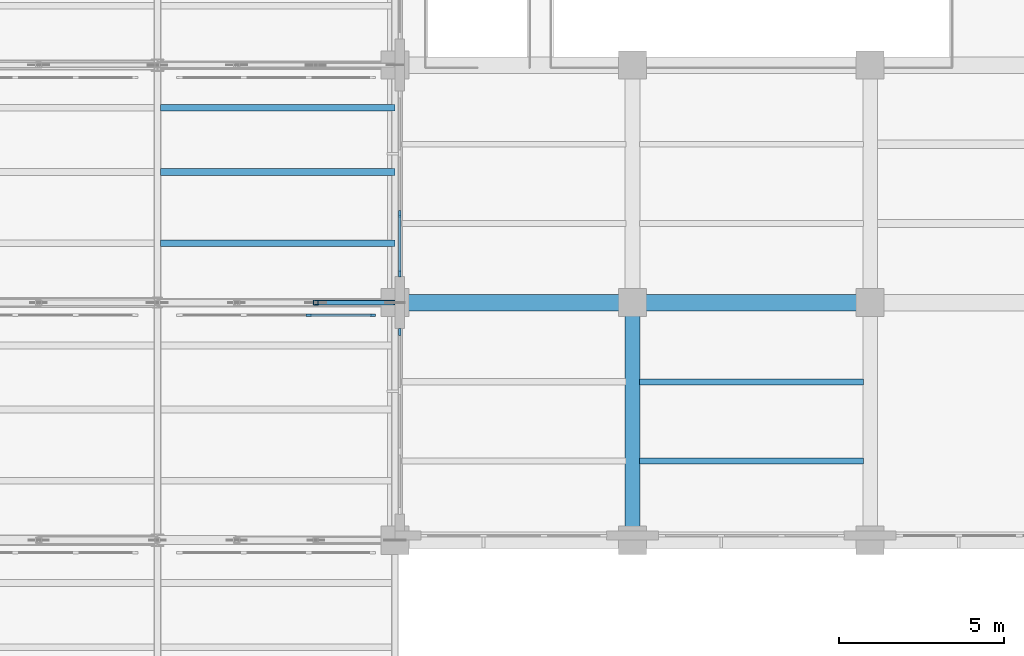
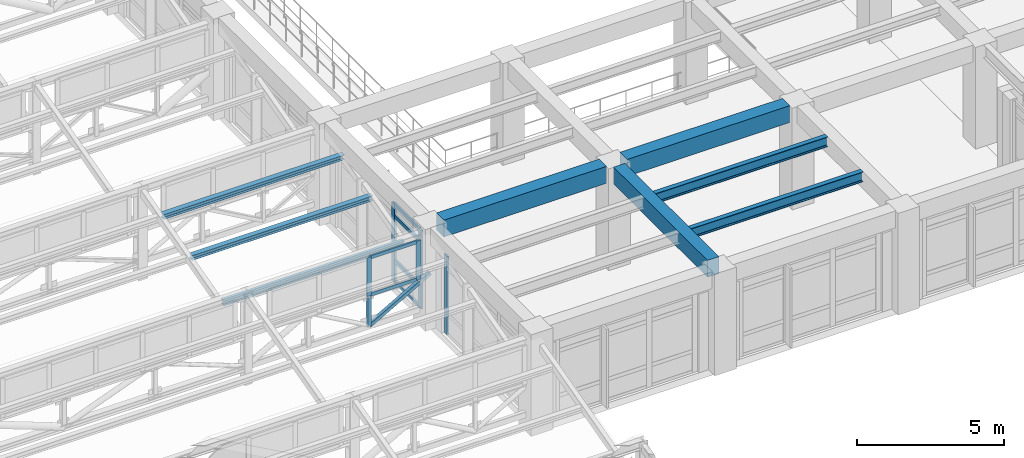
# One storey, part 25 of 98: 13 members, 8 beams, 3 elements without a shape of their own.
"""IFC4 building model written with IfcOpenShell, lengths in metres."""

from ifc_helpers import new_model, si_unit, direction, frame, origin, origin_2d, place, context, subcontext, project, spatial, rectangle, hollow_rectangle, i_section, extrude, material, layer, layer_set, material_profile, profile_set, type_object, element, aggregate, save


model = new_model("IFC4")

# Units and contexts
model_context = context("Model", 3, precision=1e-05, world=origin(), true_north=direction((0.0, 1.0)))
body_context = subcontext(model_context, "Body", "Model", "MODEL_VIEW")
ifc_project = project(units=[si_unit("LENGTHUNIT", "METRE"), si_unit("AREAUNIT", "SQUARE_METRE"), si_unit("VOLUMEUNIT", "CUBIC_METRE"), si_unit("PLANEANGLEUNIT", "RADIAN"), si_unit("MASSUNIT", "GRAM", prefix="KILO")], contexts=[model_context])

# Site, building, storey
site_placement = place(None, origin())
site = spatial("IfcSite", under=ifc_project, at=site_placement, CompositionType="ELEMENT")
building_placement = place(site_placement, origin())
building = spatial("IfcBuilding", under=site, at=building_placement, Name="Solenvale Faculty of Natural Sciences", CompositionType="ELEMENT")
storey_placement = place(building_placement, frame((0.0, 0.0, 9.0)))
storey = spatial("IfcBuildingStorey", under=building, at=storey_placement, Name="L02", CompositionType="ELEMENT", Elevation=9.0)

# Beams
ifc_material_1 = material(Name="Steel S355", Category="steel")
ifc_material_profile_1 = material_profile(ifc_material_1, i_section(OverallWidth=0.202880859375, OverallDepth=0.202880859375, WebThickness=0.007080078125, FlangeThickness=0.010986328125, FilletRadius=0.010009765625, at=origin_2d()), Name="W200x46")
ifc_profile_set_1 = profile_set([ifc_material_profile_1], Name="Steel S355")
beam_type_1 = type_object("IfcBeamType", Name="BM-PRL-W200x46", PredefinedType="JOIST", material=ifc_profile_set_1)
for number, where, z_axis, x_axis, name in (
    (1, (28.89599609375, 23.39990234375, 2.202392578125), (1.0, 0.0, 0.0), (0.0, 1.0, 0.0), "V1 Sawtooth Purlin 4.2.1"),
    (2, (28.89599609375, 25.56005859375, 2.781494140625), (1.0, 0.0, 0.0), (0.0, 1.0, 0.0), "V1 Sawtooth Purlin 4.2.2"),
    (3, (28.89599609375, 27.50390625, 3.302490234375), (1.0, 0.0, 0.0), (0.0, 1.0, 0.0), "V1 Sawtooth Purlin 4.2.3"),
):
    element("IfcBeam", number, at=place(storey_placement, frame(where, z_axis=z_axis, x_axis=x_axis)), inside=storey, type_object=beam_type_1, Name=name, PredefinedType="JOIST", context=body_context, shape_type="SweptSolid", body=[
        extrude(i_section(OverallWidth=0.202880859375, OverallDepth=0.202880859375, WebThickness=0.007080078125, FlangeThickness=0.010986328125, FilletRadius=0.010009765625, at=origin_2d()), origin(), (0.0, 0.0, 1.0), 7.10400390625),
    ])
ifc_material_2 = material(Name="Concrete 40 MPa", Category="concrete")
ifc_material_profile_2 = material_profile(ifc_material_2, rectangle(XDim=0.449951171875, YDim=0.699951171875, at=origin_2d()), Name="RC-BM-450x700")
ifc_profile_set_2 = profile_set([ifc_material_profile_2], Name="Concrete 40 MPa")
beam_type_2 = type_object("IfcBeamType", Name="BM-RC-450x700", PredefinedType="BEAM", material=ifc_profile_set_2)
beam_1_placement = place(storey_placement, frame((43.199951171875, 14.804931640625, 3.8701171875), z_axis=(0.0, 1.0, 0.0), x_axis=(-1.0, 0.0, 0.0)))
element("IfcBeam", 4, at=beam_1_placement, inside=storey, type_object=beam_type_2, Name="L02 Y-Girder X43.2 (14.4..21.6)", PredefinedType="BEAM", context=body_context, shape_type="SweptSolid", body=[
    extrude(rectangle(XDim=0.449951171875, YDim=0.699951171875, at=origin_2d()), origin(), (0.0, 0.0, 1.0), 6.39013671875),
])
ifc_material_profile_3 = material_profile(ifc_material_2, rectangle(XDim=0.5, YDim=0.699951171875, at=origin_2d()), Name="RC-BM-500x700")
ifc_profile_set_3 = profile_set([ifc_material_profile_3], Name="Concrete 40 MPa")
beam_type_3 = type_object("IfcBeamType", Name="BM-RC-500x700", PredefinedType="BEAM", material=ifc_profile_set_3)
beam_2_placement = place(storey_placement, frame((36.405029296875, 21.60009765625, 3.8701171875), z_axis=(1.0, 0.0, 0.0), x_axis=(0.0, 1.0, 0.0)))
element("IfcBeam", 5, at=beam_2_placement, inside=storey, type_object=beam_type_3, Name="L02 X-Girder Y21.6 (36.0..43.2)", PredefinedType="BEAM", context=body_context, shape_type="SweptSolid", body=[
    extrude(rectangle(XDim=0.5, YDim=0.699951171875, at=origin_2d()), origin(), (0.0, 0.0, 1.0), 6.389892578125),
])
beam_3_placement = place(storey_placement, frame((43.60498046875, 21.60009765625, 3.8701171875), z_axis=(1.0, 0.0, 0.0), x_axis=(0.0, 1.0, 0.0)))
element("IfcBeam", 6, at=beam_3_placement, inside=storey, type_object=beam_type_3, Name="L02 X-Girder Y21.6 (43.2..50.4)", PredefinedType="BEAM", context=body_context, shape_type="SweptSolid", body=[
    extrude(rectangle(XDim=0.5, YDim=0.699951171875, at=origin_2d()), origin(), (0.0, 0.0, 1.0), 6.39013671875),
])
ifc_material_profile_4 = material_profile(ifc_material_1, i_section(OverallWidth=0.180908203125, OverallDepth=0.4169921875, WebThickness=0.010986328125, FlangeThickness=0.018310546875, FilletRadius=0.01611328125, at=origin_2d()), Name="W410x85")
ifc_profile_set_4 = profile_set([ifc_material_profile_4], Name="Steel S355")
beam_type_4 = type_object("IfcBeamType", Name="BM-STL-W410x85", PredefinedType="JOIST", material=ifc_profile_set_4)
for number, where, z_axis, x_axis, name in (
    (7, (43.405029296875, 16.800048828125, 4.011474609375), (1.0, 0.0, 0.0), (0.0, 1.0, 0.0), "L02 Composite Floor Joist (7,3).1"),
    (8, (43.405029296875, 19.199951171875, 4.011474609375), (1.0, 0.0, 0.0), (0.0, 1.0, 0.0), "L02 Composite Floor Joist (7,3).2"),
):
    element("IfcBeam", number, at=place(storey_placement, frame(where, z_axis=z_axis, x_axis=x_axis)), inside=storey, type_object=beam_type_4, Name=name, PredefinedType="JOIST", context=body_context, shape_type="SweptSolid", body=[
        extrude(i_section(OverallWidth=0.180908203125, OverallDepth=0.4169921875, WebThickness=0.010986328125, FlangeThickness=0.018310546875, FilletRadius=0.01611328125, at=origin_2d()), origin(), (0.0, 0.0, 1.0), 6.7900390625),
    ])

# Curtain wall, members
ifc_material_3 = material(Name="Anodised bronze aluminium", Category="aluminium")
ifc_layer_1 = layer(ifc_material_3, 0.1650390625)
ifc_layer_set_1 = layer_set([ifc_layer_1], Name="Anodised bronze aluminium")
curtain_wall_type_1 = type_object("IfcCurtainWallType", Name="CW-SAW-CLR", PredefinedType="USERDEFINED", material=ifc_layer_set_1)
curtain_wall_1_placement = place(storey_placement, origin())
curtain_wall_1 = element("IfcCurtainWall", 9, at=curtain_wall_1_placement, inside=storey, type_object=curtain_wall_type_1, Name="L02 Curtain Wall SAW-V1-CW-3-2", ObjectType="NORTH LIGHT CLERESTORY", PredefinedType="USERDEFINED")
ifc_material_profile_5 = material_profile(ifc_material_3, rectangle(XDim=0.06494140625, YDim=0.175048828125, at=origin_2d()), Name="ALU-MUL-65x175")
ifc_profile_set_5 = profile_set([ifc_material_profile_5], Name="Anodised bronze aluminium")
member_type_1 = type_object("IfcMemberType", Name="CWM-ALU-65x175", PredefinedType="MULLION", material=ifc_profile_set_5)
member_1_placement = place(storey_placement, frame((35.327392578125, 21.219970703125, 2.22998046875), z_axis=(0.0, 0.0, 1.0), x_axis=(0.0, -1.0, 0.0)))
member_1 = element("IfcMember", 10, at=member_1_placement, type_object=member_type_1, Name="CW-05 mullion 1", PredefinedType="MULLION", context=body_context, shape_type="SweptSolid", body=[
    extrude(rectangle(XDim=0.06494140625, YDim=0.175048828125, at=origin_2d()), origin(), (0.0, 0.0, 1.0), 1.610107421875),
])
member_2_placement = place(storey_placement, frame((33.38671875, 21.219970703125, 2.22998046875), z_axis=(0.0, 0.0, 1.0), x_axis=(0.0, -1.0, 0.0)))
member_2 = element("IfcMember", 11, at=member_2_placement, type_object=member_type_1, Name="CW-05 mullion 2", PredefinedType="MULLION", context=body_context, shape_type="SweptSolid", body=[
    extrude(rectangle(XDim=0.06494140625, YDim=0.175048828125, at=origin_2d()), origin(), (0.0, 0.0, 1.0), 1.610107421875),
])

ifc_layer_2 = layer(ifc_material_3, 0.215087890625)
ifc_layer_set_2 = layer_set([ifc_layer_2], Name="Anodised bronze aluminium")
curtain_wall_type_2 = type_object("IfcCurtainWallType", Name="CW-ATR-UNIT", PredefinedType="USERDEFINED", material=ifc_layer_set_2)
curtain_wall_2_placement = place(storey_placement, origin())
curtain_wall_2 = element("IfcCurtainWall", 12, at=curtain_wall_2_placement, inside=storey, type_object=curtain_wall_type_2, Name="L02 Curtain Wall CW-L02-P1-E9-B10", ObjectType="UNITISED CURTAIN WALL", PredefinedType="USERDEFINED")
ifc_material_profile_6 = material_profile(ifc_material_3, rectangle(XDim=0.074951171875, YDim=0.2099609375, at=origin_2d()), Name="ALU-MUL-75x210")
ifc_profile_set_6 = profile_set([ifc_material_profile_6], Name="Anodised bronze aluminium")
member_type_2 = type_object("IfcMemberType", Name="CWM-ALU-75x210", PredefinedType="MULLION", material=ifc_profile_set_6)
member_3_placement = place(storey_placement, frame((36.142578125, 24.283447265625, 0.0), z_axis=(0.0, 0.0, 1.0), x_axis=(1.0, 0.0, 0.0)))
member_3 = element("IfcMember", 13, at=member_3_placement, type_object=member_type_2, Name="CW-01 mullion 3", PredefinedType="MULLION", context=body_context, shape_type="SweptSolid", body=[
    extrude(rectangle(XDim=0.074951171875, YDim=0.2099609375, at=origin_2d()), origin(), (0.0, 0.0, 1.0), 3.260009765625),
])
member_4_placement = place(storey_placement, frame((36.142578125, 22.487548828125, 0.0), z_axis=(0.0, 0.0, 1.0), x_axis=(1.0, 0.0, 0.0)))
member_4 = element("IfcMember", 14, at=member_4_placement, type_object=member_type_2, Name="CW-01 mullion 4", PredefinedType="MULLION", context=body_context, shape_type="SweptSolid", body=[
    extrude(rectangle(XDim=0.074951171875, YDim=0.2099609375, at=origin_2d()), origin(), (0.0, 0.0, 1.0), 3.260009765625),
])

# Curtain wall, member
curtain_wall_3_placement = place(storey_placement, origin())
curtain_wall_3 = element("IfcCurtainWall", 15, at=curtain_wall_3_placement, inside=storey, type_object=curtain_wall_type_2, Name="L02 Curtain Wall CW-L02-P1-E9-B11", ObjectType="UNITISED CURTAIN WALL", PredefinedType="USERDEFINED")
member_5_placement = place(storey_placement, frame((36.142578125, 20.71240234375, 0.0), z_axis=(0.0, 0.0, 1.0), x_axis=(1.0, 0.0, 0.0)))
member_5 = element("IfcMember", 16, at=member_5_placement, type_object=member_type_2, Name="CW-01 mullion 1", PredefinedType="MULLION", context=body_context, shape_type="SweptSolid", body=[
    extrude(rectangle(XDim=0.074951171875, YDim=0.2099609375, at=origin_2d()), origin(), (0.0, 0.0, 1.0), 3.260009765625),
])
aggregate(curtain_wall_3, [member_5])

# Member
ifc_material_profile_7 = material_profile(ifc_material_3, rectangle(XDim=0.06494140625, YDim=0.135009765625, at=origin_2d()), Name="ALU-TRN-65x135")
ifc_profile_set_7 = profile_set([ifc_material_profile_7], Name="Anodised bronze aluminium")
member_type_3 = type_object("IfcMemberType", Name="CWT-ALU-65x135", PredefinedType="USERDEFINED", material=ifc_profile_set_7)
member_6_placement = place(storey_placement, frame((35.294921875, 21.219970703125, 2.262451171875), z_axis=(-1.0, 0.0, 0.0), x_axis=(0.0, -1.0, 0.0)))
member_6 = element("IfcMember", 17, at=member_6_placement, type_object=member_type_3, Name="CW-05 transom 1.1", ObjectType="TRANSOM", PredefinedType="USERDEFINED", context=body_context, shape_type="SweptSolid", body=[
    extrude(rectangle(XDim=0.06494140625, YDim=0.135009765625, at=origin_2d()), origin(), (0.0, 0.0, 1.0), 1.875732421875),
])

member_7_placement = place(storey_placement, frame((35.294921875, 21.219970703125, 3.8076171875), z_axis=(-1.0, 0.0, 0.0), x_axis=(0.0, -1.0, 0.0)))
member_7 = element("IfcMember", 18, at=member_7_placement, type_object=member_type_3, Name="CW-05 transom 1.2", ObjectType="TRANSOM", PredefinedType="USERDEFINED", context=body_context, shape_type="SweptSolid", body=[
    extrude(rectangle(XDim=0.06494140625, YDim=0.135009765625, at=origin_2d()), origin(), (0.0, 0.0, 1.0), 1.875732421875),
])

aggregate(curtain_wall_1, [member_1, member_2, member_6, member_7])

ifc_material_profile_8 = material_profile(ifc_material_3, rectangle(XDim=0.074951171875, YDim=0.155029296875, at=origin_2d()), Name="ALU-TRN-75x155")
ifc_profile_set_8 = profile_set([ifc_material_profile_8], Name="Anodised bronze aluminium")
member_type_4 = type_object("IfcMemberType", Name="CWT-ALU-75x155", PredefinedType="USERDEFINED", material=ifc_profile_set_8)
member_8_placement = place(storey_placement, frame((36.142578125, 24.245849609375, 0.03759765625), z_axis=(0.0, -1.0, 0.0), x_axis=(1.0, 0.0, 0.0)))
member_8 = element("IfcMember", 19, at=member_8_placement, type_object=member_type_4, Name="CW-01 transom 3.1", ObjectType="TRANSOM", PredefinedType="USERDEFINED", context=body_context, shape_type="SweptSolid", body=[
    extrude(rectangle(XDim=0.074951171875, YDim=0.155029296875, at=origin_2d()), origin(), (0.0, 0.0, 1.0), 1.720947265625),
])

member_9_placement = place(storey_placement, frame((36.142578125, 24.245849609375, 0.89990234375), z_axis=(0.0, -1.0, 0.0), x_axis=(1.0, 0.0, 0.0)))
member_9 = element("IfcMember", 20, at=member_9_placement, type_object=member_type_4, Name="CW-01 transom 3.2", ObjectType="TRANSOM", PredefinedType="USERDEFINED", context=body_context, shape_type="SweptSolid", body=[
    extrude(rectangle(XDim=0.074951171875, YDim=0.155029296875, at=origin_2d()), origin(), (0.0, 0.0, 1.0), 1.720947265625),
])

member_10_placement = place(storey_placement, frame((36.142578125, 24.245849609375, 2.760009765625), z_axis=(0.0, -1.0, 0.0), x_axis=(1.0, 0.0, 0.0)))
member_10 = element("IfcMember", 21, at=member_10_placement, type_object=member_type_4, Name="CW-01 transom 3.3", ObjectType="TRANSOM", PredefinedType="USERDEFINED", context=body_context, shape_type="SweptSolid", body=[
    extrude(rectangle(XDim=0.074951171875, YDim=0.155029296875, at=origin_2d()), origin(), (0.0, 0.0, 1.0), 1.720947265625),
])

member_11_placement = place(storey_placement, frame((36.142578125, 24.245849609375, 3.222412109375), z_axis=(0.0, -1.0, 0.0), x_axis=(1.0, 0.0, 0.0)))
member_11 = element("IfcMember", 22, at=member_11_placement, type_object=member_type_4, Name="CW-01 transom 3.4", ObjectType="TRANSOM", PredefinedType="USERDEFINED", context=body_context, shape_type="SweptSolid", body=[
    extrude(rectangle(XDim=0.074951171875, YDim=0.155029296875, at=origin_2d()), origin(), (0.0, 0.0, 1.0), 1.720947265625),
])

aggregate(curtain_wall_2, [member_3, member_4, member_8, member_9, member_10, member_11])

# Members
ifc_material_profile_9 = material_profile(ifc_material_1, hollow_rectangle(XDim=0.152099609375, YDim=0.152099609375, WallThickness=0.009521484375, InnerFilletRadius=0.009521484375, OuterFilletRadius=0.01904296875, at=origin_2d()), Name="HSS152x152x9.5")
ifc_profile_set_9 = profile_set([ifc_material_profile_9], Name="Steel S355")
member_type_5 = type_object("IfcMemberType", Name="MB-BRC-HSS152", PredefinedType="BRACE", material=ifc_profile_set_9)
member_12_placement = place(storey_placement, frame((33.60009765625, 21.60009765625, 0.68994140625), z_axis=(0.869996876503, 0.0, 0.493057232859), x_axis=(0.0, 1.0, 0.0)))
element("IfcMember", 23, at=member_12_placement, inside=storey, type_object=member_type_5, Name="V1 Truss 3.2 Diagonal 3", PredefinedType="BRACE", context=body_context, shape_type="SweptSolid", body=[
    extrude(hollow_rectangle(XDim=0.152099609375, YDim=0.152099609375, WallThickness=0.009521484375, InnerFilletRadius=0.009521484375, OuterFilletRadius=0.01904296875, at=origin_2d()), origin(), (0.0, 0.0, 1.0), 2.758544921875),
])
ifc_material_profile_10 = material_profile(ifc_material_1, hollow_rectangle(XDim=0.152099609375, YDim=0.152099609375, WallThickness=0.009521484375, InnerFilletRadius=0.009521484375, OuterFilletRadius=0.01904296875, at=origin_2d()), Name="HSS152x152x9.5")
ifc_profile_set_10 = profile_set([ifc_material_profile_10], Name="Steel S355")
member_type_6 = type_object("IfcMemberType", Name="MB-STR-HSS152", PredefinedType="STRUT", material=ifc_profile_set_10)
member_13_placement = place(storey_placement, frame((33.60009765625, 21.60009765625, 0.68994140625), z_axis=(0.0, 0.0, 1.0), x_axis=(1.0, 0.0, 0.0)))
element("IfcMember", 24, at=member_13_placement, inside=storey, type_object=member_type_6, Name="V1 Truss 3.2 Strut 2", PredefinedType="STRUT", context=body_context, shape_type="SweptSolid", body=[
    extrude(hollow_rectangle(XDim=0.152099609375, YDim=0.152099609375, WallThickness=0.009521484375, InnerFilletRadius=0.009521484375, OuterFilletRadius=0.01904296875, at=origin_2d()), origin(), (0.0, 0.0, 1.0), 1.360107421875),
])

save(model, "model.ifc")
